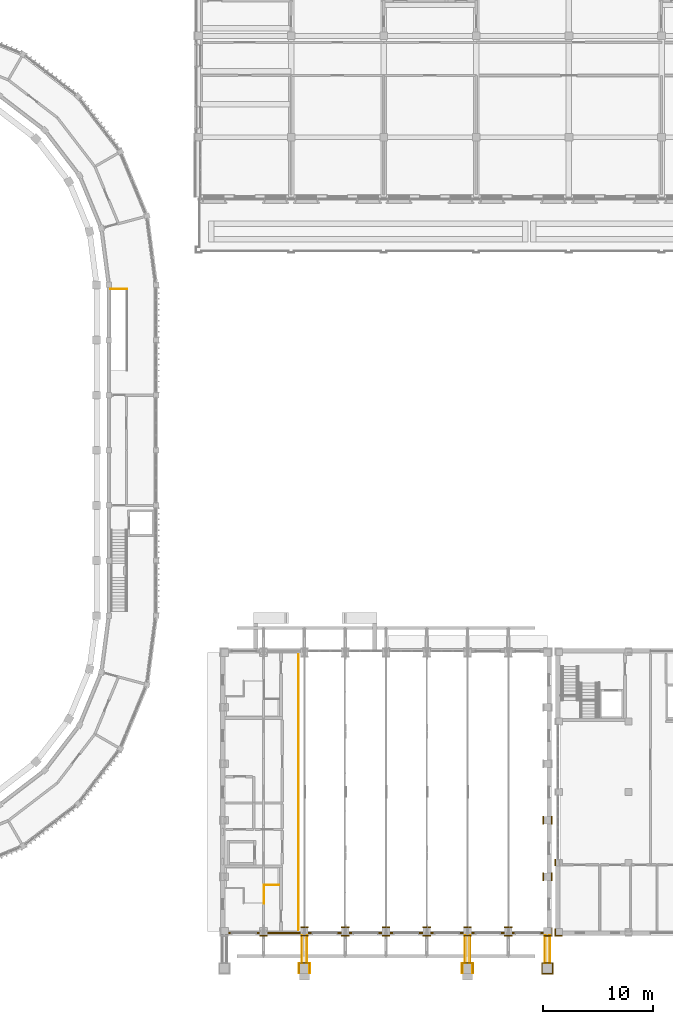
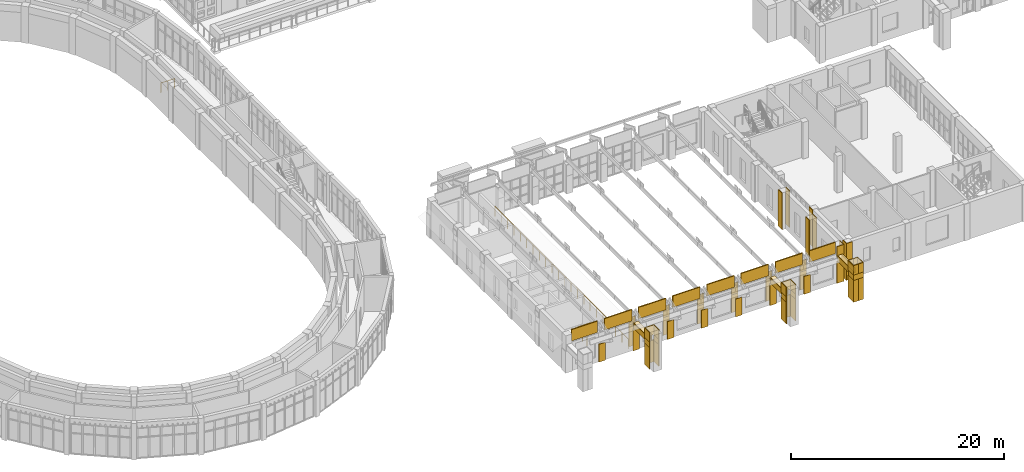
# One storey, part 86 of 99: 49 coverings, 8 shading devices, 3 railings.
"""IFC4 building model written with IfcOpenShell, lengths in metres."""

from ifc_helpers import new_model, si_unit, direction, frame, origin, origin_2d, place, context, subcontext, project, spatial, polyline, rectangle, circle, outline, extrude, material, layer, layer_set, type_object, element, save


model = new_model("IFC4")

# Units and contexts
model_context = context("Model", 3, precision=1e-05, world=origin(), true_north=direction((0.0, 1.0)))
body_context = subcontext(model_context, "Body", "Model", "MODEL_VIEW")
ifc_project = project(units=[si_unit("LENGTHUNIT", "METRE"), si_unit("AREAUNIT", "SQUARE_METRE"), si_unit("VOLUMEUNIT", "CUBIC_METRE"), si_unit("PLANEANGLEUNIT", "RADIAN"), si_unit("MASSUNIT", "GRAM", prefix="KILO")], contexts=[model_context])

# Site, building, storey
site_placement = place(None, origin())
site = spatial("IfcSite", under=ifc_project, at=site_placement, CompositionType="ELEMENT")
building_placement = place(site_placement, origin())
building = spatial("IfcBuilding", under=site, at=building_placement, Name="Wasatch Bagh Community Centre", CompositionType="ELEMENT")
storey_placement = place(building_placement, frame((0.0, 0.0, 4.199951171875)))
storey = spatial("IfcBuildingStorey", under=building, at=storey_placement, Name="L01", CompositionType="ELEMENT", Elevation=4.199951171875)

# Coverings
ifc_material_1 = material(Name="Cast stone cladding", Category="masonry")
ifc_layer_1 = layer(ifc_material_1, 0.080078125)
ifc_layer_set_1 = layer_set([ifc_layer_1], Name="Cast stone cladding")
covering_type_1 = type_object("IfcCoveringType", Name="CL-B7 beam facing", PredefinedType="CLADDING", material=ifc_layer_set_1)
covering_1_placement = place(storey_placement, frame((0.0, 0.0, 2.5)))
element("IfcCovering", 1, at=covering_1_placement, inside=storey, type_object=covering_type_1, Name="Beam facing", PredefinedType="CLADDING", context=body_context, shape_type="SweptSolid", body=[
    extrude(outline(polyline([(73.77490234375, 6.0), (73.77490234375, 3.449951171875), (73.85498046875, 3.449951171875), (73.85498046875, 6.0), (73.77490234375, 6.0)])), origin(), (0.0, 0.0, 1.0), 0.60009765625),
])
covering_2_placement = place(storey_placement, frame((0.0, 0.0, 2.5)))
element("IfcCovering", 2, at=covering_2_placement, inside=storey, type_object=covering_type_1, Name="Beam facing", PredefinedType="CLADDING", context=body_context, shape_type="SweptSolid", body=[
    extrude(outline(polyline([(73.425048828125, 6.0), (73.425048828125, 3.449951171875), (73.344970703125, 3.449951171875), (73.344970703125, 6.0), (73.425048828125, 6.0)])), origin(), (0.0, 0.0, 1.0), 0.60009765625),
])
covering_3_placement = place(storey_placement, frame((0.0, 0.0, 3.10009765625)))
element("IfcCovering", 3, at=covering_3_placement, inside=storey, type_object=covering_type_1, Name="Beam facing", PredefinedType="CLADDING", context=body_context, shape_type="SweptSolid", body=[
    extrude(outline(polyline([(73.344970703125, 6.0), (73.344970703125, 3.449951171875), (73.85498046875, 3.449951171875), (73.85498046875, 6.0), (73.344970703125, 6.0)])), origin(), (0.0, 0.0, 1.0), 0.079833984375),
])
covering_4_placement = place(storey_placement, frame((0.0, 0.0, 2.5)))
element("IfcCovering", 4, at=covering_4_placement, inside=storey, type_object=covering_type_1, Name="Beam facing", PredefinedType="CLADDING", context=body_context, shape_type="SweptSolid", body=[
    extrude(outline(polyline([(88.574951171875, 6.0), (88.574951171875, 3.449951171875), (88.655029296875, 3.449951171875), (88.655029296875, 6.0), (88.574951171875, 6.0)])), origin(), (0.0, 0.0, 1.0), 0.60009765625),
])
covering_5_placement = place(storey_placement, frame((0.0, 0.0, 2.5)))
element("IfcCovering", 5, at=covering_5_placement, inside=storey, type_object=covering_type_1, Name="Beam facing", PredefinedType="CLADDING", context=body_context, shape_type="SweptSolid", body=[
    extrude(outline(polyline([(88.22509765625, 6.0), (88.22509765625, 3.449951171875), (88.14501953125, 3.449951171875), (88.14501953125, 6.0), (88.22509765625, 6.0)])), origin(), (0.0, 0.0, 1.0), 0.60009765625),
])
covering_6_placement = place(storey_placement, frame((0.0, 0.0, 3.10009765625)))
element("IfcCovering", 6, at=covering_6_placement, inside=storey, type_object=covering_type_1, Name="Beam facing", PredefinedType="CLADDING", context=body_context, shape_type="SweptSolid", body=[
    extrude(outline(polyline([(88.14501953125, 6.0), (88.14501953125, 3.449951171875), (88.655029296875, 3.449951171875), (88.655029296875, 6.0), (88.14501953125, 6.0)])), origin(), (0.0, 0.0, 1.0), 0.079833984375),
])
covering_7_placement = place(storey_placement, frame((0.0, 0.0, 2.5)))
element("IfcCovering", 7, at=covering_7_placement, inside=storey, type_object=covering_type_1, Name="Beam facing", PredefinedType="CLADDING", context=body_context, shape_type="SweptSolid", body=[
    extrude(outline(polyline([(95.824951171875, 6.0), (95.824951171875, 3.449951171875), (95.905029296875, 3.449951171875), (95.905029296875, 6.0), (95.824951171875, 6.0)])), origin(), (0.0, 0.0, 1.0), 0.60009765625),
])
covering_8_placement = place(storey_placement, frame((0.0, 0.0, 2.5)))
element("IfcCovering", 8, at=covering_8_placement, inside=storey, type_object=covering_type_1, Name="Beam facing", PredefinedType="CLADDING", context=body_context, shape_type="SweptSolid", body=[
    extrude(outline(polyline([(95.47509765625, 6.0), (95.47509765625, 3.449951171875), (95.39501953125, 3.449951171875), (95.39501953125, 6.0), (95.47509765625, 6.0)])), origin(), (0.0, 0.0, 1.0), 0.60009765625),
])
covering_9_placement = place(storey_placement, frame((0.0, 0.0, 3.10009765625)))
element("IfcCovering", 9, at=covering_9_placement, inside=storey, type_object=covering_type_1, Name="Beam facing", PredefinedType="CLADDING", context=body_context, shape_type="SweptSolid", body=[
    extrude(outline(polyline([(95.39501953125, 6.0), (95.39501953125, 3.449951171875), (95.905029296875, 3.449951171875), (95.905029296875, 6.0), (95.39501953125, 6.0)])), origin(), (0.0, 0.0, 1.0), 0.079833984375),
])
ifc_layer_2 = layer(ifc_material_1, 0.080078125)
ifc_layer_set_2 = layer_set([ifc_layer_2], Name="Cast stone cladding")
covering_type_2 = type_object("IfcCoveringType", Name="CL-C1 column facing", PredefinedType="CLADDING", material=ifc_layer_set_2)
covering_10_placement = place(storey_placement, origin())
element("IfcCovering", 10, at=covering_10_placement, inside=storey, type_object=covering_type_2, Name="Column facing", PredefinedType="CLADDING", context=body_context, shape_type="SweptSolid", body=[
    extrude(outline(polyline([(73.070068359375, 2.550048828125), (73.070068359375, 3.530029296875), (74.1298828125, 3.530029296875), (74.1298828125, 2.550048828125), (74.050048828125, 2.550048828125), (74.050048828125, 3.449951171875), (73.14990234375, 3.449951171875), (73.14990234375, 2.550048828125), (73.070068359375, 2.550048828125)])), origin(), (0.0, 0.0, 1.0), 2.5),
])
covering_11_placement = place(storey_placement, frame((0.0, 0.0, 2.5)))
element("IfcCovering", 11, at=covering_11_placement, inside=storey, type_object=covering_type_2, Name="Column facing", PredefinedType="CLADDING", context=body_context, shape_type="SweptSolid", body=[
    extrude(outline(polyline([(74.050048828125, 3.449951171875), (74.1298828125, 3.449951171875), (74.1298828125, 2.550048828125), (74.050048828125, 2.550048828125), (74.050048828125, 3.449951171875)])), origin(), (0.0, 0.0, 1.0), 0.60009765625),
])
covering_12_placement = place(storey_placement, frame((0.0, 0.0, 2.5)))
element("IfcCovering", 12, at=covering_12_placement, inside=storey, type_object=covering_type_2, Name="Column facing", PredefinedType="CLADDING", context=body_context, shape_type="SweptSolid", body=[
    extrude(outline(polyline([(73.14990234375, 2.550048828125), (73.070068359375, 2.550048828125), (73.070068359375, 3.449951171875), (73.14990234375, 3.449951171875), (73.14990234375, 2.550048828125)])), origin(), (0.0, 0.0, 1.0), 0.60009765625),
])
covering_13_placement = place(storey_placement, frame((0.0, 0.0, 3.10009765625)))
element("IfcCovering", 13, at=covering_13_placement, inside=storey, type_object=covering_type_2, Name="Column facing", PredefinedType="CLADDING", context=body_context, shape_type="SweptSolid", body=[
    extrude(outline(polyline([(73.070068359375, 2.550048828125), (73.070068359375, 3.530029296875), (74.1298828125, 3.530029296875), (74.1298828125, 2.550048828125), (74.050048828125, 2.550048828125), (74.050048828125, 3.449951171875), (73.14990234375, 3.449951171875), (73.14990234375, 2.550048828125), (73.070068359375, 2.550048828125)])), origin(), (0.0, 0.0, 1.0), 1.099853515625),
])
covering_14_placement = place(storey_placement, origin())
element("IfcCovering", 14, at=covering_14_placement, inside=storey, type_object=covering_type_2, Name="Column facing", PredefinedType="CLADDING", context=body_context, shape_type="SweptSolid", body=[
    extrude(outline(polyline([(87.8701171875, 2.550048828125), (87.8701171875, 3.530029296875), (88.929931640625, 3.530029296875), (88.929931640625, 2.550048828125), (88.85009765625, 2.550048828125), (88.85009765625, 3.449951171875), (87.949951171875, 3.449951171875), (87.949951171875, 2.550048828125), (87.8701171875, 2.550048828125)])), origin(), (0.0, 0.0, 1.0), 2.5),
])
covering_15_placement = place(storey_placement, frame((0.0, 0.0, 2.5)))
element("IfcCovering", 15, at=covering_15_placement, inside=storey, type_object=covering_type_2, Name="Column facing", PredefinedType="CLADDING", context=body_context, shape_type="SweptSolid", body=[
    extrude(outline(polyline([(88.85009765625, 3.449951171875), (88.929931640625, 3.449951171875), (88.929931640625, 2.550048828125), (88.85009765625, 2.550048828125), (88.85009765625, 3.449951171875)])), origin(), (0.0, 0.0, 1.0), 0.60009765625),
])
covering_16_placement = place(storey_placement, frame((0.0, 0.0, 2.5)))
element("IfcCovering", 16, at=covering_16_placement, inside=storey, type_object=covering_type_2, Name="Column facing", PredefinedType="CLADDING", context=body_context, shape_type="SweptSolid", body=[
    extrude(outline(polyline([(87.949951171875, 2.550048828125), (87.8701171875, 2.550048828125), (87.8701171875, 3.449951171875), (87.949951171875, 3.449951171875), (87.949951171875, 2.550048828125)])), origin(), (0.0, 0.0, 1.0), 0.60009765625),
])
covering_17_placement = place(storey_placement, frame((0.0, 0.0, 3.10009765625)))
element("IfcCovering", 17, at=covering_17_placement, inside=storey, type_object=covering_type_2, Name="Column facing", PredefinedType="CLADDING", context=body_context, shape_type="SweptSolid", body=[
    extrude(outline(polyline([(87.8701171875, 2.550048828125), (87.8701171875, 3.530029296875), (88.929931640625, 3.530029296875), (88.929931640625, 2.550048828125), (88.85009765625, 2.550048828125), (88.85009765625, 3.449951171875), (87.949951171875, 3.449951171875), (87.949951171875, 2.550048828125), (87.8701171875, 2.550048828125)])), origin(), (0.0, 0.0, 1.0), 1.099853515625),
])
covering_18_placement = place(storey_placement, origin())
element("IfcCovering", 18, at=covering_18_placement, inside=storey, type_object=covering_type_2, Name="Column facing", PredefinedType="CLADDING", context=body_context, shape_type="SweptSolid", body=[
    extrude(outline(polyline([(95.64990234375, 3.530029296875), (95.64990234375, 3.449951171875), (95.199951171875, 3.449951171875), (95.199951171875, 2.550048828125), (95.64990234375, 2.550048828125), (95.64990234375, 2.469970703125), (95.1201171875, 2.469970703125), (95.1201171875, 3.530029296875), (95.64990234375, 3.530029296875)])), origin(), (0.0, 0.0, 1.0), 2.5),
])
covering_19_placement = place(storey_placement, origin())
element("IfcCovering", 19, at=covering_19_placement, inside=storey, type_object=covering_type_2, Name="Column facing", PredefinedType="CLADDING", context=body_context, shape_type="SweptSolid", body=[
    extrude(outline(polyline([(96.179931640625, 3.530029296875), (96.179931640625, 2.469970703125), (95.64990234375, 2.469970703125), (95.64990234375, 2.550048828125), (96.10009765625, 2.550048828125), (96.10009765625, 3.449951171875), (95.64990234375, 3.449951171875), (95.64990234375, 3.530029296875), (96.179931640625, 3.530029296875)])), origin(), (0.0, 0.0, 1.0), 2.5),
])
covering_20_placement = place(storey_placement, frame((0.0, 0.0, 2.5)))
element("IfcCovering", 20, at=covering_20_placement, inside=storey, type_object=covering_type_2, Name="Column facing", PredefinedType="CLADDING", context=body_context, shape_type="SweptSolid", body=[
    extrude(outline(polyline([(95.1201171875, 2.469970703125), (95.1201171875, 3.449951171875), (95.199951171875, 3.449951171875), (95.199951171875, 2.550048828125), (96.10009765625, 2.550048828125), (96.10009765625, 3.449951171875), (96.179931640625, 3.449951171875), (96.179931640625, 2.469970703125), (95.1201171875, 2.469970703125)])), origin(), (0.0, 0.0, 1.0), 0.60009765625),
])
covering_21_placement = place(storey_placement, frame((0.0, 0.0, 3.10009765625)))
element("IfcCovering", 21, at=covering_21_placement, inside=storey, type_object=covering_type_2, Name="Column facing", PredefinedType="CLADDING", context=body_context, shape_type="SweptSolid", body=[
    extrude(outline(polyline([(95.64990234375, 3.530029296875), (95.64990234375, 3.449951171875), (95.199951171875, 3.449951171875), (95.199951171875, 2.550048828125), (95.64990234375, 2.550048828125), (95.64990234375, 2.469970703125), (95.1201171875, 2.469970703125), (95.1201171875, 3.530029296875), (95.64990234375, 3.530029296875)])), origin(), (0.0, 0.0, 1.0), 1.099853515625),
])
covering_22_placement = place(storey_placement, frame((0.0, 0.0, 3.10009765625)))
element("IfcCovering", 22, at=covering_22_placement, inside=storey, type_object=covering_type_2, Name="Column facing", PredefinedType="CLADDING", context=body_context, shape_type="SweptSolid", body=[
    extrude(outline(polyline([(96.179931640625, 3.530029296875), (96.179931640625, 2.469970703125), (95.64990234375, 2.469970703125), (95.64990234375, 2.550048828125), (96.10009765625, 2.550048828125), (96.10009765625, 3.449951171875), (95.64990234375, 3.449951171875), (95.64990234375, 3.530029296875), (96.179931640625, 3.530029296875)])), origin(), (0.0, 0.0, 1.0), 1.099853515625),
])
covering_23_placement = place(storey_placement, origin())
element("IfcCovering", 23, at=covering_23_placement, inside=storey, type_object=covering_type_2, Name="Column facing", PredefinedType="CLADDING", context=body_context, shape_type="SweptSolid", body=[
    extrude(outline(polyline([(69.550048828125, 6.0), (70.25, 6.0), (70.25, 5.919921875), (69.550048828125, 5.919921875), (69.550048828125, 6.0)])), origin(), (0.0, 0.0, 1.0), 2.050048828125),
])
covering_24_placement = place(storey_placement, origin())
element("IfcCovering", 24, at=covering_24_placement, inside=storey, type_object=covering_type_2, Name="Column facing", PredefinedType="CLADDING", context=body_context, shape_type="SweptSolid", body=[
    extrude(outline(polyline([(73.25, 6.699951171875), (73.25, 6.780029296875), (73.949951171875, 6.780029296875), (73.949951171875, 6.699951171875), (73.25, 6.699951171875)])), origin(), (0.0, 0.0, 1.0), 2.5),
])
covering_25_placement = place(storey_placement, origin())
element("IfcCovering", 25, at=covering_25_placement, inside=storey, type_object=covering_type_2, Name="Column facing", PredefinedType="CLADDING", context=body_context, shape_type="SweptSolid", body=[
    extrude(outline(polyline([(73.949951171875, 6.0), (73.949951171875, 5.919921875), (73.25, 5.919921875), (73.25, 6.0), (73.949951171875, 6.0)])), origin(), (0.0, 0.0, 1.0), 2.5),
])
covering_26_placement = place(storey_placement, frame((0.0, 0.0, 2.5)))
element("IfcCovering", 26, at=covering_26_placement, inside=storey, type_object=covering_type_2, Name="Column facing", PredefinedType="CLADDING", context=body_context, shape_type="SweptSolid", body=[
    extrude(outline(polyline([(73.949951171875, 6.699951171875), (73.25, 6.699951171875), (73.25, 6.780029296875), (73.949951171875, 6.780029296875), (73.949951171875, 6.699951171875)])), origin(), (0.0, 0.0, 1.0), 0.800048828125),
])
covering_27_placement = place(storey_placement, origin())
element("IfcCovering", 27, at=covering_27_placement, inside=storey, type_object=covering_type_2, Name="Column facing", PredefinedType="CLADDING", context=body_context, shape_type="SweptSolid", body=[
    extrude(outline(polyline([(76.949951171875, 6.699951171875), (76.949951171875, 6.780029296875), (77.64990234375, 6.780029296875), (77.64990234375, 6.699951171875), (76.949951171875, 6.699951171875)])), origin(), (0.0, 0.0, 1.0), 2.050048828125),
])
covering_28_placement = place(storey_placement, origin())
element("IfcCovering", 28, at=covering_28_placement, inside=storey, type_object=covering_type_2, Name="Column facing", PredefinedType="CLADDING", context=body_context, shape_type="SweptSolid", body=[
    extrude(outline(polyline([(77.64990234375, 6.0), (77.64990234375, 5.919921875), (76.949951171875, 5.919921875), (76.949951171875, 6.0), (77.64990234375, 6.0)])), origin(), (0.0, 0.0, 1.0), 2.050048828125),
])
covering_29_placement = place(storey_placement, frame((0.0, 0.0, 2.050048828125)))
element("IfcCovering", 29, at=covering_29_placement, inside=storey, type_object=covering_type_2, Name="Column facing", PredefinedType="CLADDING", context=body_context, shape_type="SweptSolid", body=[
    extrude(outline(polyline([(77.64990234375, 6.699951171875), (76.949951171875, 6.699951171875), (76.949951171875, 6.780029296875), (77.64990234375, 6.780029296875), (77.64990234375, 6.699951171875)])), origin(), (0.0, 0.0, 1.0), 1.25),
])
covering_30_placement = place(storey_placement, origin())
element("IfcCovering", 30, at=covering_30_placement, inside=storey, type_object=covering_type_2, Name="Column facing", PredefinedType="CLADDING", context=body_context, shape_type="SweptSolid", body=[
    extrude(outline(polyline([(80.64990234375, 6.699951171875), (80.64990234375, 6.780029296875), (81.35009765625, 6.780029296875), (81.35009765625, 6.699951171875), (80.64990234375, 6.699951171875)])), origin(), (0.0, 0.0, 1.0), 2.050048828125),
])
covering_31_placement = place(storey_placement, origin())
element("IfcCovering", 31, at=covering_31_placement, inside=storey, type_object=covering_type_2, Name="Column facing", PredefinedType="CLADDING", context=body_context, shape_type="SweptSolid", body=[
    extrude(outline(polyline([(81.35009765625, 6.0), (81.35009765625, 5.919921875), (80.64990234375, 5.919921875), (80.64990234375, 6.0), (81.35009765625, 6.0)])), origin(), (0.0, 0.0, 1.0), 2.050048828125),
])
covering_32_placement = place(storey_placement, frame((0.0, 0.0, 2.050048828125)))
element("IfcCovering", 32, at=covering_32_placement, inside=storey, type_object=covering_type_2, Name="Column facing", PredefinedType="CLADDING", context=body_context, shape_type="SweptSolid", body=[
    extrude(outline(polyline([(81.35009765625, 6.699951171875), (80.64990234375, 6.699951171875), (80.64990234375, 6.780029296875), (81.35009765625, 6.780029296875), (81.35009765625, 6.699951171875)])), origin(), (0.0, 0.0, 1.0), 1.25),
])
covering_33_placement = place(storey_placement, origin())
element("IfcCovering", 33, at=covering_33_placement, inside=storey, type_object=covering_type_2, Name="Column facing", PredefinedType="CLADDING", context=body_context, shape_type="SweptSolid", body=[
    extrude(outline(polyline([(84.35009765625, 6.699951171875), (84.35009765625, 6.780029296875), (85.050048828125, 6.780029296875), (85.050048828125, 6.699951171875), (84.35009765625, 6.699951171875)])), origin(), (0.0, 0.0, 1.0), 2.050048828125),
])
covering_34_placement = place(storey_placement, origin())
element("IfcCovering", 34, at=covering_34_placement, inside=storey, type_object=covering_type_2, Name="Column facing", PredefinedType="CLADDING", context=body_context, shape_type="SweptSolid", body=[
    extrude(outline(polyline([(85.050048828125, 6.0), (85.050048828125, 5.919921875), (84.35009765625, 5.919921875), (84.35009765625, 6.0), (85.050048828125, 6.0)])), origin(), (0.0, 0.0, 1.0), 2.050048828125),
])
covering_35_placement = place(storey_placement, frame((0.0, 0.0, 2.050048828125)))
element("IfcCovering", 35, at=covering_35_placement, inside=storey, type_object=covering_type_2, Name="Column facing", PredefinedType="CLADDING", context=body_context, shape_type="SweptSolid", body=[
    extrude(outline(polyline([(85.050048828125, 6.699951171875), (84.35009765625, 6.699951171875), (84.35009765625, 6.780029296875), (85.050048828125, 6.780029296875), (85.050048828125, 6.699951171875)])), origin(), (0.0, 0.0, 1.0), 1.25),
])
covering_36_placement = place(storey_placement, origin())
element("IfcCovering", 36, at=covering_36_placement, inside=storey, type_object=covering_type_2, Name="Column facing", PredefinedType="CLADDING", context=body_context, shape_type="SweptSolid", body=[
    extrude(outline(polyline([(88.050048828125, 6.699951171875), (88.050048828125, 6.780029296875), (88.75, 6.780029296875), (88.75, 6.699951171875), (88.050048828125, 6.699951171875)])), origin(), (0.0, 0.0, 1.0), 2.5),
])
covering_37_placement = place(storey_placement, origin())
element("IfcCovering", 37, at=covering_37_placement, inside=storey, type_object=covering_type_2, Name="Column facing", PredefinedType="CLADDING", context=body_context, shape_type="SweptSolid", body=[
    extrude(outline(polyline([(88.75, 6.0), (88.75, 5.919921875), (88.050048828125, 5.919921875), (88.050048828125, 6.0), (88.75, 6.0)])), origin(), (0.0, 0.0, 1.0), 2.5),
])
covering_38_placement = place(storey_placement, frame((0.0, 0.0, 2.5)))
element("IfcCovering", 38, at=covering_38_placement, inside=storey, type_object=covering_type_2, Name="Column facing", PredefinedType="CLADDING", context=body_context, shape_type="SweptSolid", body=[
    extrude(outline(polyline([(88.75, 6.699951171875), (88.050048828125, 6.699951171875), (88.050048828125, 6.780029296875), (88.75, 6.780029296875), (88.75, 6.699951171875)])), origin(), (0.0, 0.0, 1.0), 0.800048828125),
])
covering_39_placement = place(storey_placement, origin())
element("IfcCovering", 39, at=covering_39_placement, inside=storey, type_object=covering_type_2, Name="Column facing", PredefinedType="CLADDING", context=body_context, shape_type="SweptSolid", body=[
    extrude(outline(polyline([(91.75, 6.699951171875), (91.75, 6.780029296875), (92.449951171875, 6.780029296875), (92.449951171875, 6.699951171875), (91.75, 6.699951171875)])), origin(), (0.0, 0.0, 1.0), 2.050048828125),
])
covering_40_placement = place(storey_placement, origin())
element("IfcCovering", 40, at=covering_40_placement, inside=storey, type_object=covering_type_2, Name="Column facing", PredefinedType="CLADDING", context=body_context, shape_type="SweptSolid", body=[
    extrude(outline(polyline([(92.449951171875, 6.0), (92.449951171875, 5.919921875), (91.75, 5.919921875), (91.75, 6.0), (92.449951171875, 6.0)])), origin(), (0.0, 0.0, 1.0), 2.050048828125),
])
covering_41_placement = place(storey_placement, frame((0.0, 0.0, 2.050048828125)))
element("IfcCovering", 41, at=covering_41_placement, inside=storey, type_object=covering_type_2, Name="Column facing", PredefinedType="CLADDING", context=body_context, shape_type="SweptSolid", body=[
    extrude(outline(polyline([(92.449951171875, 6.699951171875), (91.75, 6.699951171875), (91.75, 6.780029296875), (92.449951171875, 6.780029296875), (92.449951171875, 6.699951171875)])), origin(), (0.0, 0.0, 1.0), 1.25),
])
covering_42_placement = place(storey_placement, origin())
element("IfcCovering", 42, at=covering_42_placement, inside=storey, type_object=covering_type_2, Name="Column facing", PredefinedType="CLADDING", context=body_context, shape_type="SweptSolid", body=[
    extrude(outline(polyline([(96.0, 6.0), (96.0, 6.699951171875), (96.080078125, 6.699951171875), (96.080078125, 5.919921875), (95.300048828125, 5.919921875), (95.300048828125, 6.0), (96.0, 6.0)])), origin(), (0.0, 0.0, 1.0), 2.5),
])
covering_43_placement = place(storey_placement, frame((0.0, 0.0, 3.10009765625)))
element("IfcCovering", 43, at=covering_43_placement, inside=storey, type_object=covering_type_2, Name="Column facing", PredefinedType="CLADDING", context=body_context, shape_type="SweptSolid", body=[
    extrude(outline(polyline([(96.0, 6.0), (96.0, 6.699951171875), (96.080078125, 6.699951171875), (96.080078125, 5.919921875), (95.300048828125, 5.919921875), (95.300048828125, 6.0), (96.0, 6.0)])), origin(), (0.0, 0.0, 1.0), 1.099853515625),
])
covering_44_placement = place(storey_placement, origin())
element("IfcCovering", 44, at=covering_44_placement, inside=storey, type_object=covering_type_2, Name="Column facing", PredefinedType="CLADDING", context=body_context, shape_type="SweptSolid", body=[
    extrude(outline(polyline([(96.0, 11.669921875), (96.080078125, 11.669921875), (96.080078125, 10.969970703125), (96.0, 10.969970703125), (96.0, 11.669921875)])), origin(), (0.0, 0.0, 1.0), 4.199951171875),
])
covering_45_placement = place(storey_placement, origin())
element("IfcCovering", 45, at=covering_45_placement, inside=storey, type_object=covering_type_2, Name="Column facing", PredefinedType="CLADDING", context=body_context, shape_type="SweptSolid", body=[
    extrude(outline(polyline([(95.300048828125, 10.969970703125), (95.219970703125, 10.969970703125), (95.219970703125, 11.669921875), (95.300048828125, 11.669921875), (95.300048828125, 10.969970703125)])), origin(), (0.0, 0.0, 1.0), 4.199951171875),
])
covering_46_placement = place(storey_placement, origin())
element("IfcCovering", 46, at=covering_46_placement, inside=storey, type_object=covering_type_2, Name="Column facing", PredefinedType="CLADDING", context=body_context, shape_type="SweptSolid", body=[
    extrude(outline(polyline([(96.0, 16.7900390625), (96.080078125, 16.7900390625), (96.080078125, 16.090087890625), (96.0, 16.090087890625), (96.0, 16.7900390625)])), origin(), (0.0, 0.0, 1.0), 4.199951171875),
])
covering_47_placement = place(storey_placement, origin())
element("IfcCovering", 47, at=covering_47_placement, inside=storey, type_object=covering_type_2, Name="Column facing", PredefinedType="CLADDING", context=body_context, shape_type="SweptSolid", body=[
    extrude(outline(polyline([(95.300048828125, 16.090087890625), (95.219970703125, 16.090087890625), (95.219970703125, 16.7900390625), (95.300048828125, 16.7900390625), (95.300048828125, 16.090087890625)])), origin(), (0.0, 0.0, 1.0), 4.199951171875),
])
covering_48_placement = place(storey_placement, origin())
element("IfcCovering", 48, at=covering_48_placement, inside=storey, type_object=covering_type_2, Name="Column facing", PredefinedType="CLADDING", context=body_context, shape_type="SweptSolid", body=[
    extrude(outline(polyline([(96.320068359375, 5.919921875), (96.320068359375, 6.60009765625), (96.39990234375, 6.60009765625), (96.39990234375, 6.0), (97.0, 6.0), (97.0, 5.919921875), (96.320068359375, 5.919921875)])), origin(), (0.0, 0.0, 1.0), 4.199951171875),
])
covering_49_placement = place(storey_placement, origin())
element("IfcCovering", 49, at=covering_49_placement, inside=storey, type_object=covering_type_2, Name="Column facing", PredefinedType="CLADDING", context=body_context, shape_type="SweptSolid", body=[
    extrude(outline(polyline([(96.39990234375, 12.89990234375), (96.39990234375, 12.300048828125), (96.320068359375, 12.300048828125), (96.320068359375, 12.89990234375), (96.39990234375, 12.89990234375)])), origin(), (0.0, 0.0, 1.0), 4.199951171875),
])

# Railings
ifc_material_2 = material(Name="ASTM A36 steel", Category="steel")
railing_type_1 = type_object("IfcRailingType", Name="DH guard", PredefinedType="GUARDRAIL", material=ifc_material_2)
railing_1_placement = place(storey_placement, frame((71.300048828125, 10.580078125, 0.0)))
element("IfcRailing", 50, at=railing_1_placement, inside=storey, type_object=railing_type_1, Name="GUARD ST6", PredefinedType="GUARDRAIL", context=body_context, shape_type="SweptSolid", body=[
    extrude(circle(Radius=0.02392578125, at=origin_2d()), frame((0.0, 0.0, 1.076171875), z_axis=(-1.0, 0.0, 0.0), x_axis=(0.0, -1.0, 0.0)), (0.0, 0.0, 1.0), 1.35009765625),
    extrude(circle(Radius=0.02392578125, at=origin_2d()), frame((-1.35009765625, 0.0, 1.076171875), z_axis=(0.0, -1.0, 0.0), x_axis=(1.0, 0.0, 0.0)), (0.0, 0.0, 1.0), 1.7099609375),
    extrude(circle(Radius=0.02099609375, at=origin_2d()), origin(), (0.0, 0.0, 1.0), 1.052001953125),
    extrude(circle(Radius=0.02099609375, at=origin_2d()), frame((-0.675048828125, 0.0, 0.0)), (0.0, 0.0, 1.0), 1.052001953125),
    extrude(circle(Radius=0.02099609375, at=origin_2d()), frame((-1.35009765625, 0.0, 0.0)), (0.0, 0.0, 1.0), 1.052001953125),
    extrude(circle(Radius=0.02099609375, at=origin_2d()), frame((-1.35009765625, -0.85498046875, 0.0)), (0.0, 0.0, 1.0), 1.052001953125),
    extrude(circle(Radius=0.02099609375, at=origin_2d()), frame((-1.35009765625, -1.7099609375, 0.0)), (0.0, 0.0, 1.0), 1.052001953125),
])
railing_2_placement = place(storey_placement, frame((73.050048828125, 6.5, 0.0)))
element("IfcRailing", 51, at=railing_2_placement, inside=storey, type_object=railing_type_1, Name="GUARD gallery", PredefinedType="GUARDRAIL", context=body_context, shape_type="SweptSolid", body=[
    extrude(circle(Radius=0.02392578125, at=origin_2d()), frame((0.0, 0.0, 1.076171875), z_axis=(0.0, 1.0, 0.0), x_axis=(-1.0, 0.0, 0.0)), (0.0, 0.0, 1.0), 25.0),
    extrude(circle(Radius=0.02099609375, at=origin_2d()), origin(), (0.0, 0.0, 1.0), 1.052001953125),
    extrude(circle(Radius=0.02099609375, at=origin_2d()), frame((0.0, 1.1904296875, 0.0)), (0.0, 0.0, 1.0), 1.052001953125),
    extrude(circle(Radius=0.02099609375, at=origin_2d()), frame((0.0, 2.380859375, 0.0)), (0.0, 0.0, 1.0), 1.052001953125),
    extrude(circle(Radius=0.02099609375, at=origin_2d()), frame((0.0, 3.571533203125, 0.0)), (0.0, 0.0, 1.0), 1.052001953125),
    extrude(circle(Radius=0.02099609375, at=origin_2d()), frame((0.0, 4.761962890625, 0.0)), (0.0, 0.0, 1.0), 1.052001953125),
    extrude(circle(Radius=0.02099609375, at=origin_2d()), frame((0.0, 5.952392578125, 0.0)), (0.0, 0.0, 1.0), 1.052001953125),
    extrude(circle(Radius=0.02099609375, at=origin_2d()), frame((0.0, 7.142822265625, 0.0)), (0.0, 0.0, 1.0), 1.052001953125),
    extrude(circle(Radius=0.02099609375, at=origin_2d()), frame((0.0, 8.333251953125, 0.0)), (0.0, 0.0, 1.0), 1.052001953125),
    extrude(circle(Radius=0.02099609375, at=origin_2d()), frame((0.0, 9.52392578125, 0.0)), (0.0, 0.0, 1.0), 1.052001953125),
    extrude(circle(Radius=0.02099609375, at=origin_2d()), frame((0.0, 10.71435546875, 0.0)), (0.0, 0.0, 1.0), 1.052001953125),
    extrude(circle(Radius=0.02099609375, at=origin_2d()), frame((0.0, 11.90478515625, 0.0)), (0.0, 0.0, 1.0), 1.052001953125),
    extrude(circle(Radius=0.02099609375, at=origin_2d()), frame((0.0, 13.09521484375, 0.0)), (0.0, 0.0, 1.0), 1.052001953125),
    extrude(circle(Radius=0.02099609375, at=origin_2d()), frame((0.0, 14.28564453125, 0.0)), (0.0, 0.0, 1.0), 1.052001953125),
    extrude(circle(Radius=0.02099609375, at=origin_2d()), frame((0.0, 15.47607421875, 0.0)), (0.0, 0.0, 1.0), 1.052001953125),
    extrude(circle(Radius=0.02099609375, at=origin_2d()), frame((0.0, 16.666748046875, 0.0)), (0.0, 0.0, 1.0), 1.052001953125),
    extrude(circle(Radius=0.02099609375, at=origin_2d()), frame((0.0, 17.857177734375, 0.0)), (0.0, 0.0, 1.0), 1.052001953125),
    extrude(circle(Radius=0.02099609375, at=origin_2d()), frame((0.0, 19.047607421875, 0.0)), (0.0, 0.0, 1.0), 1.052001953125),
    extrude(circle(Radius=0.02099609375, at=origin_2d()), frame((0.0, 20.238037109375, 0.0)), (0.0, 0.0, 1.0), 1.052001953125),
    extrude(circle(Radius=0.02099609375, at=origin_2d()), frame((0.0, 21.428466796875, 0.0)), (0.0, 0.0, 1.0), 1.052001953125),
    extrude(circle(Radius=0.02099609375, at=origin_2d()), frame((0.0, 22.619140625, 0.0)), (0.0, 0.0, 1.0), 1.052001953125),
    extrude(circle(Radius=0.02099609375, at=origin_2d()), frame((0.0, 23.8095703125, 0.0)), (0.0, 0.0, 1.0), 1.052001953125),
    extrude(circle(Radius=0.02099609375, at=origin_2d()), frame((0.0, 25.0, 0.0)), (0.0, 0.0, 1.0), 1.052001953125),
])

# Shading devices
ifc_material_3 = material(Name="Precast concrete C40/50", Category="concrete")
ifc_layer_3 = layer(ifc_material_3, 0.1201171875)
ifc_layer_set_3 = layer_set([ifc_layer_3], Name="Precast concrete C40/50")
shading_device_type = type_object("IfcShadingDeviceType", Name="DH jali eave panel 120", PredefinedType="USERDEFINED", material=ifc_layer_set_3)
shading_device_1_placement = place(storey_placement, frame((68.125, 6.199951171875, 3.30029296875), z_axis=(0.0, 0.0, 1.0), x_axis=(1.0, 0.0, 0.0)))
element("IfcShadingDevice", 52, at=shading_device_1_placement, inside=storey, type_object=shading_device_type, Name="Jali eave panel", ObjectType="Jali eave panel", PredefinedType="USERDEFINED", context=body_context, shape_type="SweptSolid", body=[
    extrude(rectangle(XDim=2.81005859375, YDim=0.1201171875, at=origin_2d()), origin(), (0.0, 0.0, 1.0), 1.297119140625),
])
for number, where, z_axis, x_axis, name in (
    (53, (71.75, 6.199951171875, 3.30029296875), (0.0, 0.0, 1.0), (1.0, 0.0, 0.0), "Jali eave panel"),
    (54, (75.449951171875, 6.199951171875, 3.30029296875), (0.0, 0.0, 1.0), (1.0, 0.0, 0.0), "Jali eave panel"),
    (55, (79.14990234375, 6.199951171875, 3.30029296875), (0.0, 0.0, 1.0), (1.0, 0.0, 0.0), "Jali eave panel"),
    (56, (82.85009765625, 6.199951171875, 3.30029296875), (0.0, 0.0, 1.0), (1.0, 0.0, 0.0), "Jali eave panel"),
    (57, (86.550048828125, 6.199951171875, 3.30029296875), (0.0, 0.0, 1.0), (1.0, 0.0, 0.0), "Jali eave panel"),
    (58, (90.25, 6.199951171875, 3.30029296875), (0.0, 0.0, 1.0), (1.0, 0.0, 0.0), "Jali eave panel"),
):
    element("IfcShadingDevice", number, at=place(storey_placement, frame(where, z_axis=z_axis, x_axis=x_axis)), inside=storey, type_object=shading_device_type, Name=name, ObjectType="Jali eave panel", PredefinedType="USERDEFINED", context=body_context, shape_type="SweptSolid", body=[
        extrude(rectangle(XDim=2.9599609375, YDim=0.1201171875, at=origin_2d()), origin(), (0.0, 0.0, 1.0), 1.297119140625),
    ])
shading_device_2_placement = place(storey_placement, frame((93.875, 6.199951171875, 3.30029296875), z_axis=(0.0, 0.0, 1.0), x_axis=(1.0, 0.0, 0.0)))
element("IfcShadingDevice", 59, at=shading_device_2_placement, inside=storey, type_object=shading_device_type, Name="Jali eave panel", ObjectType="Jali eave panel", PredefinedType="USERDEFINED", context=body_context, shape_type="SweptSolid", body=[
    extrude(rectangle(XDim=2.81005859375, YDim=0.1201171875, at=origin_2d()), origin(), (0.0, 0.0, 1.0), 1.297119140625),
])

# Railing
ifc_material_4 = material(Name="ASTM A500 Grade C steel", Category="steel")
railing_type_2 = type_object("IfcRailingType", Name="Drum guard 1100", PredefinedType="GUARDRAIL", material=ifc_material_4)
railing_3_placement = place(storey_placement, frame((56.02490234375, 64.64990234375, 0.0)))
element("IfcRailing", 60, at=railing_3_placement, inside=storey, type_object=railing_type_2, Name="Opening guard NE0 end", PredefinedType="GUARDRAIL", context=body_context, shape_type="SweptSolid", body=[
    extrude(circle(Radius=0.02392578125, at=origin_2d()), frame((0.0, 0.0, 1.076171875), z_axis=(1.0, 0.0, 0.0), x_axis=(0.0, 1.0, 0.0)), (0.0, 0.0, 1.0), 1.5),
    extrude(circle(Radius=0.02099609375, at=origin_2d()), origin(), (0.0, 0.0, 1.0), 1.052001953125),
    extrude(circle(Radius=0.02099609375, at=origin_2d()), frame((0.75, 0.0, 0.0)), (0.0, 0.0, 1.0), 1.052001953125),
    extrude(circle(Radius=0.02099609375, at=origin_2d()), frame((1.5, 0.0, 0.0)), (0.0, 0.0, 1.0), 1.052001953125),
])

save(model, "model.ifc")
